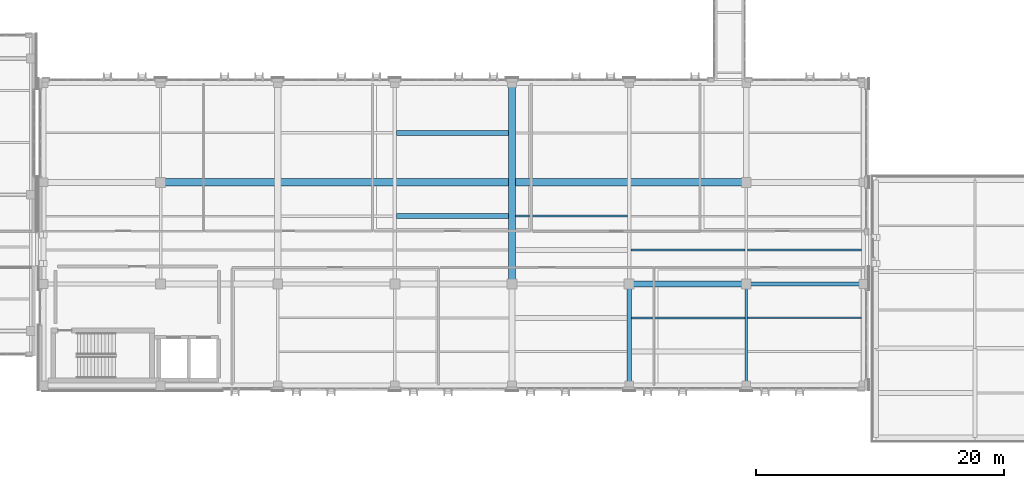
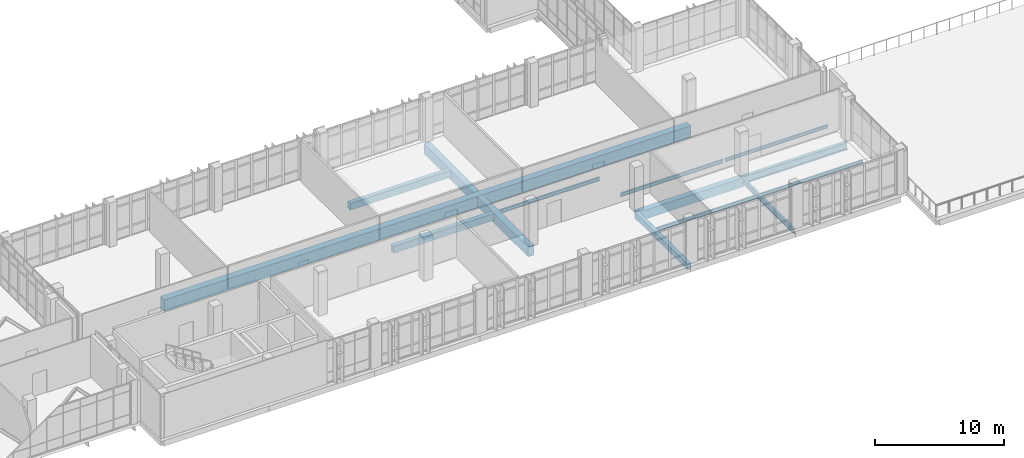
# One storey, part 40 of 165: 13 beams.
"""IFC4 building model written with IfcOpenShell, lengths in metres."""

from ifc_helpers import new_model, si_unit, direction, frame, origin, origin_2d, place, context, subcontext, project, spatial, rectangle, i_section, extrude, material, material_profile, profile_set, type_object, element, save


model = new_model("IFC4")

# Units and contexts
model_context = context("Model", 3, precision=1e-05, world=origin(), true_north=direction((0.0, 1.0)))
body_context = subcontext(model_context, "Body", "Model", "MODEL_VIEW")
ifc_project = project(units=[si_unit("LENGTHUNIT", "METRE"), si_unit("AREAUNIT", "SQUARE_METRE"), si_unit("VOLUMEUNIT", "CUBIC_METRE"), si_unit("PLANEANGLEUNIT", "RADIAN"), si_unit("MASSUNIT", "GRAM", prefix="KILO")], contexts=[model_context])

# Site, building, storey
site_placement = place(None, origin())
site = spatial("IfcSite", under=ifc_project, at=site_placement, CompositionType="ELEMENT")
building_placement = place(site_placement, origin())
building = spatial("IfcBuilding", under=site, at=building_placement, Name="Qalavern Law Courts", CompositionType="ELEMENT")
storey_placement = place(building_placement, frame((0.0, 0.0, 14.39990234375)))
storey = spatial("IfcBuildingStorey", under=building, at=storey_placement, Name="L03", CompositionType="ELEMENT", Elevation=14.39990234375)

# Beams
ifc_material_1 = material(Name="Steel S355", Category="steel")
ifc_material_profile_1 = material_profile(ifc_material_1, i_section(OverallWidth=0.300048828125, OverallDepth=0.699951171875, WebThickness=0.01708984375, FlangeThickness=0.031982421875, FilletRadius=0.027099609375, at=origin_2d()), Name="HEB 700")
ifc_profile_set_1 = profile_set([ifc_material_profile_1], Name="Steel S355")
beam_type_1 = type_object("IfcBeamType", Name="STR-BM-HEB700", PredefinedType="BEAM", material=ifc_profile_set_1)
beam_1_placement = place(storey_placement, frame((91.345703125, 13.800048828125, -0.635009765625), z_axis=(1.0, 0.0, 0.0), x_axis=(0.0, 1.0, 0.0)))
element("IfcBeam", 1, at=beam_1_placement, inside=storey, type_object=beam_type_1, Name="V2 X-beam 2-7 L03", PredefinedType="BEAM", context=body_context, shape_type="SweptSolid", body=[
    extrude(i_section(OverallWidth=0.300048828125, OverallDepth=0.699951171875, WebThickness=0.01708984375, FlangeThickness=0.031982421875, FilletRadius=0.027099609375, at=origin_2d()), origin(), (0.0, 0.0, 1.0), 9.454345703125),
])
ifc_material_profile_2 = material_profile(ifc_material_1, i_section(OverallWidth=0.199951171875, OverallDepth=0.5, WebThickness=0.01025390625, FlangeThickness=0.01611328125, FilletRadius=0.02099609375, at=origin_2d()), Name="IPE 500")
ifc_profile_set_2 = profile_set([ifc_material_profile_2], Name="Steel S355")
beam_type_2 = type_object("IfcBeamType", Name="STR-BM-IPE500", PredefinedType="BEAM", material=ifc_profile_set_2)
beam_2_placement = place(storey_placement, frame((91.345703125, 5.60009765625, -0.534912109375), z_axis=(0.0, 1.0, 0.0), x_axis=(-1.0, 0.0, 0.0)))
element("IfcBeam", 2, at=beam_2_placement, inside=storey, type_object=beam_type_2, Name="V2 Y-beam 7-1 L03", PredefinedType="BEAM", context=body_context, shape_type="SweptSolid", body=[
    extrude(i_section(OverallWidth=0.199951171875, OverallDepth=0.5, WebThickness=0.01025390625, FlangeThickness=0.01611328125, FilletRadius=0.02099609375, at=origin_2d()), origin(), (0.0, 0.0, 1.0), 8.199951171875),
])
ifc_material_2 = material(Name="Concrete C35/45", Category="concrete")
ifc_material_profile_3 = material_profile(ifc_material_2, rectangle(XDim=0.35009765625, YDim=0.550048828125, at=origin_2d()), Name="RC 350x550")
ifc_profile_set_3 = profile_set([ifc_material_profile_3], Name="Concrete C35/45")
beam_type_3 = type_object("IfcBeamType", Name="STR-BM-RC350x550", PredefinedType="BEAM", material=ifc_profile_set_3)
beam_3_placement = place(storey_placement, frame((81.891357421875, 5.60009765625, -0.559814453125), z_axis=(0.0, 1.0, 0.0), x_axis=(-1.0, 0.0, 0.0)))
element("IfcBeam", 3, at=beam_3_placement, inside=storey, type_object=beam_type_3, Name="V2 Y-beam 6-1 L03", PredefinedType="BEAM", context=body_context, shape_type="SweptSolid", body=[
    extrude(rectangle(XDim=0.35009765625, YDim=0.550048828125, at=origin_2d()), origin(), (0.0, 0.0, 1.0), 8.199951171875),
])
ifc_material_3 = material(Name="Concrete C40/50", Category="concrete")
ifc_material_profile_4 = material_profile(ifc_material_3, rectangle(XDim=0.5, YDim=0.85009765625, at=origin_2d()), Name="RC 500x850")
ifc_profile_set_4 = profile_set([ifc_material_profile_4], Name="Concrete C40/50")
beam_type_4 = type_object("IfcBeamType", Name="STR-BM-RC500x850", PredefinedType="BEAM", material=ifc_profile_set_4)
beam_4_placement = place(storey_placement, frame((81.891357421875, 13.800048828125, -0.7099609375), z_axis=(1.0, 0.0, 0.0), x_axis=(0.0, 1.0, 0.0)))
element("IfcBeam", 4, at=beam_4_placement, inside=storey, type_object=beam_type_4, Name="V2 X-beam 2-6 L03", PredefinedType="BEAM", context=body_context, shape_type="SweptSolid", body=[
    extrude(rectangle(XDim=0.5, YDim=0.85009765625, at=origin_2d()), origin(), (0.0, 0.0, 1.0), 9.454345703125),
])
ifc_material_profile_5 = material_profile(ifc_material_3, rectangle(XDim=0.550048828125, YDim=0.949951171875, at=origin_2d()), Name="RC 550x950")
ifc_profile_set_5 = profile_set([ifc_material_profile_5], Name="Concrete C40/50")
beam_type_5 = type_object("IfcBeamType", Name="STR-BM-RC550x950", PredefinedType="BEAM", material=ifc_profile_set_5)
beam_5_placement = place(storey_placement, frame((72.43701171875, 13.800048828125, -0.760009765625), z_axis=(0.0, 1.0, 0.0), x_axis=(-1.0, 0.0, 0.0)))
element("IfcBeam", 5, at=beam_5_placement, inside=storey, type_object=beam_type_5, Name="V2 Y-beam 5-2 L03", PredefinedType="BEAM", context=body_context, shape_type="SweptSolid", body=[
    extrude(rectangle(XDim=0.550048828125, YDim=0.949951171875, at=origin_2d()), origin(), (0.0, 0.0, 1.0), 16.199951171875),
])
ifc_material_profile_6 = material_profile(ifc_material_3, rectangle(XDim=0.60009765625, YDim=1.10009765625, at=origin_2d()), Name="RC 600x1100")
ifc_profile_set_6 = profile_set([ifc_material_profile_6], Name="Concrete C40/50")
beam_type_6 = type_object("IfcBeamType", Name="STR-BM-RC600x1100", PredefinedType="BEAM", material=ifc_profile_set_6)
beam_6_placement = place(storey_placement, frame((44.07421875, 22.0, -0.8349609375), z_axis=(1.0, 0.0, 0.0), x_axis=(0.0, 1.0, 0.0)))
element("IfcBeam", 6, at=beam_6_placement, inside=storey, type_object=beam_type_6, Name="V2 X-beam 3-2 L03", PredefinedType="BEAM", context=body_context, shape_type="SweptSolid", body=[
    extrude(rectangle(XDim=0.60009765625, YDim=1.10009765625, at=origin_2d()), origin(), (0.0, 0.0, 1.0), 47.271484375),
])
ifc_material_profile_7 = material_profile(ifc_material_1, i_section(OverallWidth=0.14990234375, OverallDepth=0.300048828125, WebThickness=0.007080078125, FlangeThickness=0.0107421875, FilletRadius=0.014892578125, at=origin_2d()), Name="IPE 300")
ifc_profile_set_7 = profile_set([ifc_material_profile_7], Name="Steel S355")
beam_type_7 = type_object("IfcBeamType", Name="STR-JST-IPE300", PredefinedType="JOIST", material=ifc_profile_set_7)
beam_7_placement = place(storey_placement, frame((91.443603515625, 11.066650390625, -0.434814453125), z_axis=(1.0, 0.0, 0.0), x_axis=(0.0, 1.0, 0.0)))
element("IfcBeam", 7, at=beam_7_placement, inside=storey, type_object=beam_type_7, Name="V2 secondary joist 7.1.2 L03", PredefinedType="JOIST", context=body_context, shape_type="SweptSolid", body=[
    extrude(i_section(OverallWidth=0.14990234375, OverallDepth=0.300048828125, WebThickness=0.007080078125, FlangeThickness=0.0107421875, FilletRadius=0.014892578125, at=origin_2d()), origin(), (0.0, 0.0, 1.0), 9.20849609375),
])
beam_8_placement = place(storey_placement, frame((91.43359375, 16.533203125, -0.434814453125), z_axis=(1.0, 0.0, 0.0), x_axis=(0.0, 1.0, 0.0)))
element("IfcBeam", 8, at=beam_8_placement, inside=storey, type_object=beam_type_7, Name="V2 secondary joist 7.2.1 L03", PredefinedType="JOIST", context=body_context, shape_type="SweptSolid", body=[
    extrude(i_section(OverallWidth=0.14990234375, OverallDepth=0.300048828125, WebThickness=0.007080078125, FlangeThickness=0.0107421875, FilletRadius=0.014892578125, at=origin_2d()), origin(), (0.0, 0.0, 1.0), 9.218505859375),
])
ifc_material_profile_8 = material_profile(ifc_material_1, i_section(OverallWidth=0.159912109375, OverallDepth=0.330078125, WebThickness=0.007568359375, FlangeThickness=0.011474609375, FilletRadius=0.01806640625, at=origin_2d()), Name="IPE 330")
ifc_profile_set_8 = profile_set([ifc_material_profile_8], Name="Steel S355")
beam_type_8 = type_object("IfcBeamType", Name="STR-JST-IPE330", PredefinedType="JOIST", material=ifc_profile_set_8)
beam_9_placement = place(storey_placement, frame((72.710205078125, 19.2666015625, -0.449951171875), z_axis=(1.0, 0.0, 0.0), x_axis=(0.0, 1.0, 0.0)))
element("IfcBeam", 9, at=beam_9_placement, inside=storey, type_object=beam_type_8, Name="V2 secondary joist 5.2.2 L03", PredefinedType="JOIST", context=body_context, shape_type="SweptSolid", body=[
    extrude(i_section(OverallWidth=0.159912109375, OverallDepth=0.330078125, WebThickness=0.007568359375, FlangeThickness=0.011474609375, FilletRadius=0.01806640625, at=origin_2d()), origin(), (0.0, 0.0, 1.0), 9.033203125),
])
beam_10_placement = place(storey_placement, frame((82.064453125, 11.066650390625, -0.449951171875), z_axis=(1.0, 0.0, 0.0), x_axis=(0.0, 1.0, 0.0)))
element("IfcBeam", 10, at=beam_10_placement, inside=storey, type_object=beam_type_8, Name="V2 secondary joist 6.1.2 L03", PredefinedType="JOIST", context=body_context, shape_type="SweptSolid", body=[
    extrude(i_section(OverallWidth=0.159912109375, OverallDepth=0.330078125, WebThickness=0.007568359375, FlangeThickness=0.011474609375, FilletRadius=0.01806640625, at=origin_2d()), origin(), (0.0, 0.0, 1.0), 9.183349609375),
])
beam_11_placement = place(storey_placement, frame((82.039306640625, 16.533203125, -0.449951171875), z_axis=(1.0, 0.0, 0.0), x_axis=(0.0, 1.0, 0.0)))
element("IfcBeam", 11, at=beam_11_placement, inside=storey, type_object=beam_type_8, Name="V2 secondary joist 6.2.1 L03", PredefinedType="JOIST", context=body_context, shape_type="SweptSolid", body=[
    extrude(i_section(OverallWidth=0.159912109375, OverallDepth=0.330078125, WebThickness=0.007568359375, FlangeThickness=0.011474609375, FilletRadius=0.01806640625, at=origin_2d()), origin(), (0.0, 0.0, 1.0), 9.218505859375),
])
ifc_material_profile_9 = material_profile(ifc_material_2, rectangle(XDim=0.39990234375, YDim=0.64990234375, at=origin_2d()), Name="RC 400x650")
ifc_profile_set_9 = profile_set([ifc_material_profile_9], Name="Concrete C35/45")
beam_type_9 = type_object("IfcBeamType", Name="STR-JST-RC400x650", PredefinedType="JOIST", material=ifc_profile_set_9)
for number, where, z_axis, x_axis, name in (
    (12, (63.130859375, 19.2666015625, -0.60986328125), (1.0, 0.0, 0.0), (0.0, 1.0, 0.0), "V2 secondary joist 4.2.2 L03"),
    (13, (63.130859375, 26.0, -0.60986328125), (1.0, 0.0, 0.0), (0.0, 1.0, 0.0), "V2 secondary joist 4.3.1 L03"),
):
    element("IfcBeam", number, at=place(storey_placement, frame(where, z_axis=z_axis, x_axis=x_axis)), inside=storey, type_object=beam_type_9, Name=name, PredefinedType="JOIST", context=body_context, shape_type="SweptSolid", body=[
        extrude(rectangle(XDim=0.39990234375, YDim=0.64990234375, at=origin_2d()), origin(), (0.0, 0.0, 1.0), 9.033203125),
    ])

save(model, "model.ifc")
